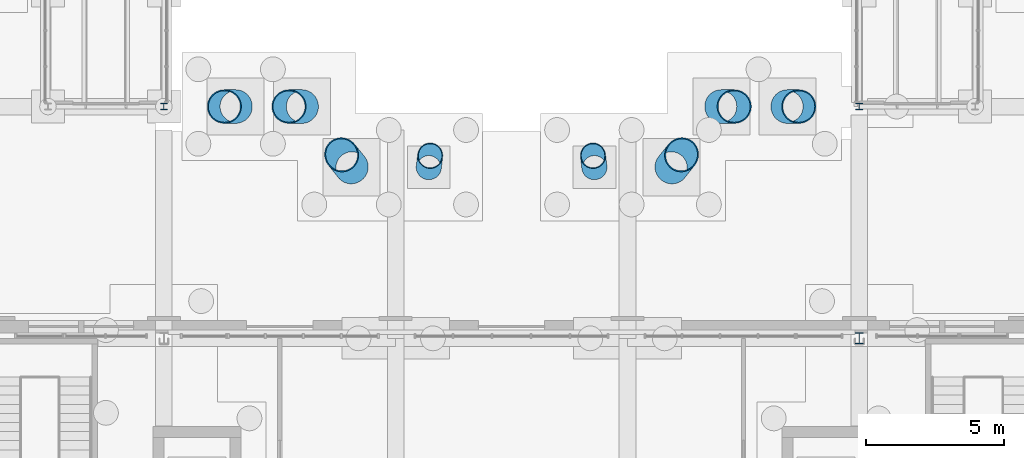
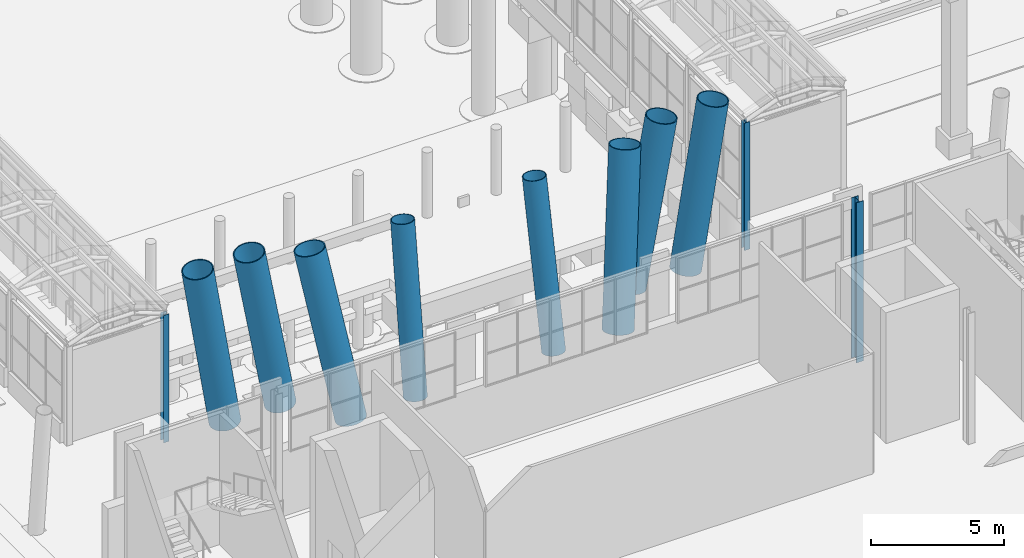
# One storey, part 23 of 222: 11 columns.
"""IFC4 building model written with IfcOpenShell, lengths in metres."""

import ifcopenshell
import ifcopenshell.guid

model = None  # the IFC model being written
_history = None  # IfcOwnerHistory: only IFC2X3 demands one
_inside = {}  # id of a spatial element -> (the spatial element, [elements in it])
_under = {}  # id of a project, library or spatial element -> (it, [spatial elements below it])
_declared = {}  # id of a project -> (the project, [libraries it declares])
_typed = {}  # id of a type object -> (the type object, [elements of that type])
_made_of = {}  # id of a material, layer set ... -> (it, [elements and type objects made of it])


def new_model(schema):
    """Start an empty IFC model of exactly this schema.

    Asked for "IFC4X3", IfcOpenShell would pick the latest addendum, in which some entities
    have other attributes; the version numbers below select the first issue.
    IFC2X3 requires an IfcOwnerHistory on every rooted entity: one is made here for all.
    """
    global model, _history
    if schema == "IFC4X3":
        model = ifcopenshell.file(schema_version=(4, 3, 0, 0))
    else:
        model = ifcopenshell.file(schema=schema)
    _inside.clear()
    _under.clear()
    _declared.clear()
    _typed.clear()
    _made_of.clear()
    _history = None
    if model.schema == "IFC2X3":
        org = make("IfcOrganization", Name="unknown")
        user = make(
            "IfcPersonAndOrganization",
            ThePerson=make("IfcPerson", FamilyName="unknown"),
            TheOrganization=org,
        )
        app = make(
            "IfcApplication",
            ApplicationDeveloper=org,
            Version="unknown",
            ApplicationFullName="unknown",
            ApplicationIdentifier="unknown",
        )
        _history = make(
            "IfcOwnerHistory",
            OwningUser=user,
            OwningApplication=app,
            ChangeAction="ADDED",
            CreationDate=0,
        )
    return model


def make(cls, **values):
    """One entity of the class cls with the attributes given. An attribute that is None is left unset."""
    return model.create_entity(
        cls, **{name: value for name, value in values.items() if value is not None}
    )


def rooted(cls, **values):
    """An entity with a GlobalId (a new one), such as an element, a storey or a relation."""
    return make(cls, GlobalId=ifcopenshell.guid.new(), OwnerHistory=_history, **values)


def si_unit(unit_type, name, prefix=None):
    """IfcSIUnit, for example si_unit("LENGTHUNIT", "METRE", prefix="MILLI")."""
    return make("IfcSIUnit", UnitType=unit_type, Prefix=prefix, Name=name)


def assignment(units):
    """IfcUnitAssignment: the units of a project."""
    return None if units is None else make("IfcUnitAssignment", Units=units)


def point(xyz):
    """IfcCartesianPoint."""
    return None if xyz is None else make("IfcCartesianPoint", Coordinates=xyz)


def direction(xyz):
    """IfcDirection."""
    return None if xyz is None else make("IfcDirection", DirectionRatios=xyz)


def frame(location, z_axis=None, x_axis=None):
    """IfcAxis2Placement3D, a coordinate frame: its origin and axes. An axis left out is left unset."""
    return make(
        "IfcAxis2Placement3D",
        Location=point(location),
        Axis=direction(z_axis),
        RefDirection=direction(x_axis),
    )


def frame_2d(location, x_axis=None):
    """IfcAxis2Placement2D, a coordinate frame in the plane: its origin and x axis."""
    return make(
        "IfcAxis2Placement2D", Location=point(location), RefDirection=direction(x_axis)
    )


def origin():
    """The frame at (0, 0, 0) with its axes left unset."""
    return frame((0.0, 0.0, 0.0))


def origin_2d():
    """The frame at (0, 0) in the plane with its x axis left unset."""
    return frame_2d((0.0, 0.0))


def place(relative_to, where):
    """IfcLocalPlacement: puts the frame where relative to a parent placement (None: the world)."""
    return make(
        "IfcLocalPlacement", PlacementRelTo=relative_to, RelativePlacement=where
    )


def context(
    kind, dimensions, precision=None, world=None, true_north=None, identifier=None
):
    """IfcGeometricRepresentationContext, for example the 3D "Model" context."""
    return make(
        "IfcGeometricRepresentationContext",
        ContextIdentifier=identifier,
        ContextType=kind,
        CoordinateSpaceDimension=dimensions,
        Precision=precision,
        WorldCoordinateSystem=world,
        TrueNorth=true_north,
    )


def subcontext(parent, identifier, kind, view, scale=None):
    """IfcGeometricRepresentationSubContext, for example "Body" below "Model"."""
    return make(
        "IfcGeometricRepresentationSubContext",
        ContextIdentifier=identifier,
        ContextType=kind,
        ParentContext=parent,
        TargetScale=scale,
        TargetView=view,
    )


def project(units=None, contexts=None):
    """IfcProject with its units and contexts."""
    return rooted(
        "IfcProject",
        Name="project",
        RepresentationContexts=contexts,
        UnitsInContext=assignment(units),
    )


def spatial(cls, under=None, at=None, **own):
    """A site, building, storey or space (cls), placed at a placement, below another one or the project."""
    s = rooted(cls, ObjectPlacement=at, **own)
    if under is not None:
        _under.setdefault(under.id(), (under, []))[1].append(s)
    return s


def profile(cls, at=None, kind="AREA", **sizes):
    """A parametric profile (cls). Its sizes go by their IFC names, for example OverallWidth=200.0."""
    return make(cls, ProfileType=kind, Position=at, **sizes)


def hollow_circle(**sizes):
    """IfcCircleHollowProfileDef."""
    return profile("IfcCircleHollowProfileDef", **sizes)


def i_section(**sizes):
    """IfcIShapeProfileDef."""
    return profile("IfcIShapeProfileDef", **sizes)


def extrude(swept, where, along, depth):
    """IfcExtrudedAreaSolid: the profile swept, set in the frame where, extruded along a direction by depth."""
    return make(
        "IfcExtrudedAreaSolid",
        SweptArea=swept,
        Position=where,
        ExtrudedDirection=direction(along),
        Depth=depth,
    )


def shape(context_of_items, identifier, shape_type, items):
    """IfcShapeRepresentation: the items that make up one representation, for example the "Body"."""
    return make(
        "IfcShapeRepresentation",
        ContextOfItems=context_of_items,
        RepresentationIdentifier=identifier,
        RepresentationType=shape_type,
        Items=items,
    )


def material(Name=None, Category=None):
    """IfcMaterial."""
    return make("IfcMaterial", Name=Name, Category=Category)


def material_profile(
    of_material, cross_section, Name=None, Category=None, Priority=None
):
    """IfcMaterialProfile: a cross section and its material."""
    return make(
        "IfcMaterialProfile",
        Name=Name,
        Material=of_material,
        Profile=cross_section,
        Priority=Priority,
        Category=Category,
    )


def profile_set(profiles, Name=None, composite=None):
    """IfcMaterialProfileSet."""
    return make(
        "IfcMaterialProfileSet",
        Name=Name,
        MaterialProfiles=profiles,
        CompositeProfile=composite,
    )


def made_of(thing, what):
    """Note that an element or type object is made of a material, layer set ...; save() writes the relation."""
    if what is not None:
        _made_of.setdefault(what.id(), (what, []))[1].append(thing)
    return thing


def type_object(cls, material=None, **own):
    """A type object (cls), such as IfcWallType, which elements share."""
    return made_of(rooted(cls, **own), material)


def element(
    cls,
    number,
    at=None,
    inside=None,
    cuts=None,
    type_object=None,
    material=None,
    context=None,
    identifier="Body",
    shape_type=None,
    held_by="IfcProductDefinitionShape",
    body=None,
    shapes=None,
    **own,
):
    """One element of the class cls, such as IfcWall. Its Tag is "e" and its number.

    at: its placement. inside: the storey or other place that contains it. cuts: it is an
    opening in that element (IfcRelVoidsElement). A single representation is given by context,
    identifier, shape_type and body (its items); several are given by shapes. held_by: the class
    of the entity that holds the representations. save() writes the other relations.
    """
    e = rooted(cls, Tag="e%d" % number, ObjectPlacement=at, **own)
    if body is not None:
        shapes = [shape(context, identifier, shape_type, body)]
    if shapes is not None:
        e.Representation = make(held_by, Representations=shapes)
    if inside is not None:
        _inside.setdefault(inside.id(), (inside, []))[1].append(e)
    if cuts is not None:
        rooted(
            "IfcRelVoidsElement", RelatingBuildingElement=cuts, RelatedOpeningElement=e
        )
    if type_object is not None:
        _typed.setdefault(type_object.id(), (type_object, []))[1].append(e)
    return made_of(e, material)


def aggregate(whole, parts):
    """IfcRelAggregates: a whole, such as a stair, and the parts it consists of."""
    return rooted("IfcRelAggregates", RelatingObject=whole, RelatedObjects=parts)


def save(model, path):
    """Write the relations noted so far, then the file.

    IfcRelAggregates (storeys below a building ...), IfcRelContainedInSpatialStructure (elements
    in a storey), IfcRelDefinesByType, IfcRelAssociatesMaterial and IfcRelDeclares: one each for
    every whole, place, type object, material and project.
    """
    for whole, parts in _under.values():
        aggregate(whole, parts)
    for where, things in _inside.values():
        rooted(
            "IfcRelContainedInSpatialStructure",
            RelatedElements=things,
            RelatingStructure=where,
        )
    for kind, things in _typed.values():
        rooted("IfcRelDefinesByType", RelatedObjects=things, RelatingType=kind)
    for what, things in _made_of.values():
        rooted("IfcRelAssociatesMaterial", RelatedObjects=things, RelatingMaterial=what)
    for by, libraries in _declared.values():
        rooted("IfcRelDeclares", RelatingContext=by, RelatedDefinitions=libraries)
    model.write(path)


model = new_model("IFC4")

# Units and contexts
model_context = context("Model", 3, precision=1e-05, world=origin(), true_north=direction((0.0, 1.0)))
body_context = subcontext(model_context, "Body", "Model", "MODEL_VIEW")
ifc_project = project(units=[si_unit("LENGTHUNIT", "METRE"), si_unit("AREAUNIT", "SQUARE_METRE"), si_unit("VOLUMEUNIT", "CUBIC_METRE"), si_unit("PLANEANGLEUNIT", "RADIAN"), si_unit("MASSUNIT", "GRAM", prefix="KILO")], contexts=[model_context])

# Site, building, storey
site_placement = place(None, origin())
site = spatial("IfcSite", under=ifc_project, at=site_placement, CompositionType="ELEMENT")
building_placement = place(site_placement, origin())
building = spatial("IfcBuilding", under=site, at=building_placement, Name="Sava Quay Ferry Terminal", CompositionType="ELEMENT")
storey_placement = place(building_placement, origin())
storey = spatial("IfcBuildingStorey", under=building, at=storey_placement, Name="L00", CompositionType="ELEMENT", Elevation=0.0)

# Columns
ifc_material_1 = material(Name="Steel S355", Category="steel")
ifc_material_profile_1 = material_profile(ifc_material_1, i_section(OverallWidth=0.239990234375, OverallDepth=0.22998046875, WebThickness=0.007568359375, FlangeThickness=0.011962890625, at=origin_2d()), Name="HE 240 A")
ifc_profile_set_1 = profile_set([ifc_material_profile_1], Name="Steel S355")
column_type_1 = type_object("IfcColumnType", Name="Column HE 240 A", PredefinedType="COLUMN", material=ifc_profile_set_1)
for number, where, z_axis, x_axis, name in (
    (1, (50.39990234375, 109.199951171875, -1.35009765625), (0.0, 0.0, 1.0), (1.0, 0.0, 0.0), "Gallery post B1 109.2"),
    (2, (75.60009765625, 109.199951171875, -1.35009765625), (0.0, 0.0, 1.0), (1.0, 0.0, 0.0), "Gallery post B2 109.2"),
):
    element("IfcColumn", number, at=place(storey_placement, frame(where, z_axis=z_axis, x_axis=x_axis)), inside=storey, type_object=column_type_1, Name=name, PredefinedType="COLUMN", context=body_context, shape_type="SweptSolid", body=[
        extrude(i_section(OverallWidth=0.239990234375, OverallDepth=0.22998046875, WebThickness=0.007568359375, FlangeThickness=0.011962890625, at=origin_2d()), origin(), (0.0, 0.0, 1.0), 5.85009765625),
    ])
ifc_material_2 = material(Name="Steel S355", Category="steel")
ifc_material_profile_2 = material_profile(ifc_material_2, i_section(OverallWidth=0.300048828125, OverallDepth=0.39990234375, WebThickness=0.013427734375, FlangeThickness=0.02392578125, at=origin_2d()), Name="HE 400 B")
ifc_profile_set_2 = profile_set([ifc_material_profile_2], Name="Steel S355")
column_type_2 = type_object("IfcColumnType", Name="Column HE 400 B", PredefinedType="COLUMN", material=ifc_profile_set_2)
column_1_placement = place(storey_placement, frame((75.60009765625, 100.800048828125, -1.35009765625), z_axis=(0.0, 0.0, 1.0), x_axis=(1.0, 0.0, 0.0)))
element("IfcColumn", 3, at=column_1_placement, inside=storey, type_object=column_type_2, Name="Column L00 75.6/100.8", PredefinedType="COLUMN", context=body_context, shape_type="SweptSolid", body=[
    extrude(i_section(OverallWidth=0.300048828125, OverallDepth=0.39990234375, WebThickness=0.013427734375, FlangeThickness=0.02392578125, at=origin_2d()), origin(), (0.0, 0.0, 1.0), 7.35009765625),
])
ifc_material_3 = material(Name="Steel S355", Category="steel")
ifc_material_profile_3 = material_profile(ifc_material_3, hollow_circle(Radius=0.609619140625, WallThickness=0.0400390625, at=origin_2d()), Name="CHS 1219 x 40.0")
ifc_profile_set_3 = profile_set([ifc_material_profile_3], Name="Steel S355")
column_type_3 = type_object("IfcColumnType", Name="V column CHS 1219x40", PredefinedType="COLUMN", material=ifc_profile_set_3)
column_2_placement = place(storey_placement, frame((53.0, 109.199951171875, -1.35009765625), z_axis=(-0.158567341267, 0.0, 0.987348164673), x_axis=(0.0, -1.0, 0.0)))
element("IfcColumn", 4, at=column_2_placement, inside=storey, type_object=column_type_3, Name="Departure hall prow V column D-PV7H0a part 1", PredefinedType="COLUMN", context=body_context, shape_type="SweptSolid", body=[
    extrude(hollow_circle(Radius=0.609619140625, WallThickness=0.0400390625, at=origin_2d()), origin(), (0.0, 0.0, 1.0), 7.4443359375),
])
for number, where, z_axis, x_axis, name in (
    (5, (55.39990234375, 109.199951171875, -1.35009765625), (-0.180408996859, 0.0, 0.983591680451), (0.0, -1.0, 0.0), "Departure hall prow V column D-PV7H0b part 1"),
    (6, (70.60009765625, 109.199951171875, -1.35009765625), (0.180408996859, 0.0, 0.983591680451), (0.0, 1.0, 0.0), "Departure hall prow V column D-PV7H1a part 1"),
):
    element("IfcColumn", number, at=place(storey_placement, frame(where, z_axis=z_axis, x_axis=x_axis)), inside=storey, type_object=column_type_3, Name=name, PredefinedType="COLUMN", context=body_context, shape_type="SweptSolid", body=[
        extrude(hollow_circle(Radius=0.609619140625, WallThickness=0.0400390625, at=origin_2d()), origin(), (0.0, 0.0, 1.0), 7.47265625),
    ])
column_3_placement = place(storey_placement, frame((73.0, 109.199951171875, -1.35009765625), z_axis=(0.158567341267, 0.0, 0.987348164673), x_axis=(0.0, 1.0, 0.0)))
element("IfcColumn", 7, at=column_3_placement, inside=storey, type_object=column_type_3, Name="Departure hall prow V column D-PV7H1b part 1", PredefinedType="COLUMN", context=body_context, shape_type="SweptSolid", body=[
    extrude(hollow_circle(Radius=0.609619140625, WallThickness=0.0400390625, at=origin_2d()), origin(), (0.0, 0.0, 1.0), 7.4443359375),
])
for number, where, z_axis, x_axis, name in (
    (8, (57.199951171875, 107.0, -1.35009765625), (-0.138028083434, 0.172818546144, 0.975234329939), (-0.781368669452, -0.624069709566, 0.0), "Departure hall prow V column D-PVTa part 1"),
    (9, (68.800048828125, 107.0, -1.35009765625), (0.138028083434, 0.172818546144, 0.975234329939), (-0.781368669452, 0.624069709566, 0.0), "Departure hall prow V column D-PVTb part 1"),
):
    element("IfcColumn", number, at=place(storey_placement, frame(where, z_axis=z_axis, x_axis=x_axis)), inside=storey, type_object=column_type_3, Name=name, PredefinedType="COLUMN", context=body_context, shape_type="SweptSolid", body=[
        extrude(hollow_circle(Radius=0.609619140625, WallThickness=0.0400390625, at=origin_2d()), origin(), (0.0, 0.0, 1.0), 7.536865234375),
    ])
ifc_material_4 = material(Name="Steel S355", Category="steel")
ifc_material_profile_4 = material_profile(ifc_material_4, hollow_circle(Radius=0.45703125, WallThickness=0.030029296875, at=origin_2d()), Name="CHS 914 x 30.0")
ifc_profile_set_4 = profile_set([ifc_material_profile_4], Name="Steel S355")
column_type_4 = type_object("IfcColumnType", Name="V column CHS 914x30", PredefinedType="COLUMN", material=ifc_profile_set_4)
for number, where, z_axis, x_axis, name in (
    (10, (60.0, 107.0, -1.35009765625), (0.019203441247, 0.162115057762, 0.986584986654), (-0.99305711263, 0.117633205579, 0.0), "Departure hall prow V column D-PVMa2.1 part 1"),
    (11, (66.0, 107.0, -1.35009765625), (-0.019203441247, 0.162115057762, 0.986584986654), (-0.99305711263, -0.117633205579, 0.0), "Departure hall prow V column D-PVMb2.1 part 1"),
):
    element("IfcColumn", number, at=place(storey_placement, frame(where, z_axis=z_axis, x_axis=x_axis)), inside=storey, type_object=column_type_4, Name=name, PredefinedType="COLUMN", context=body_context, shape_type="SweptSolid", body=[
        extrude(hollow_circle(Radius=0.45703125, WallThickness=0.030029296875, at=origin_2d()), origin(), (0.0, 0.0, 1.0), 7.449951171875),
    ])

save(model, "model.ifc")
